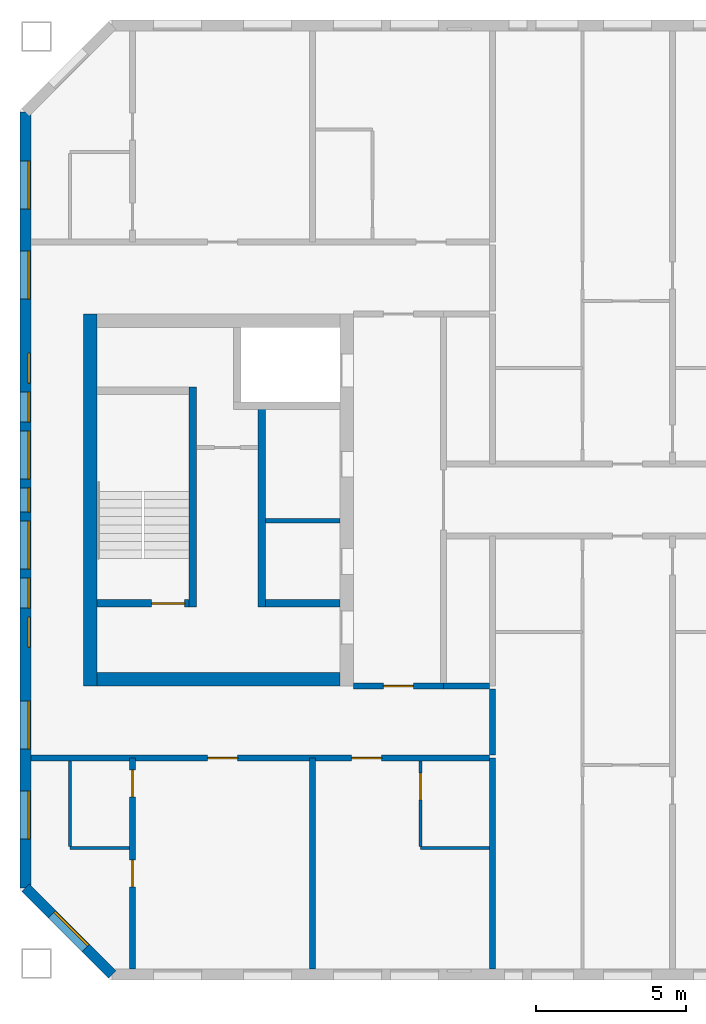
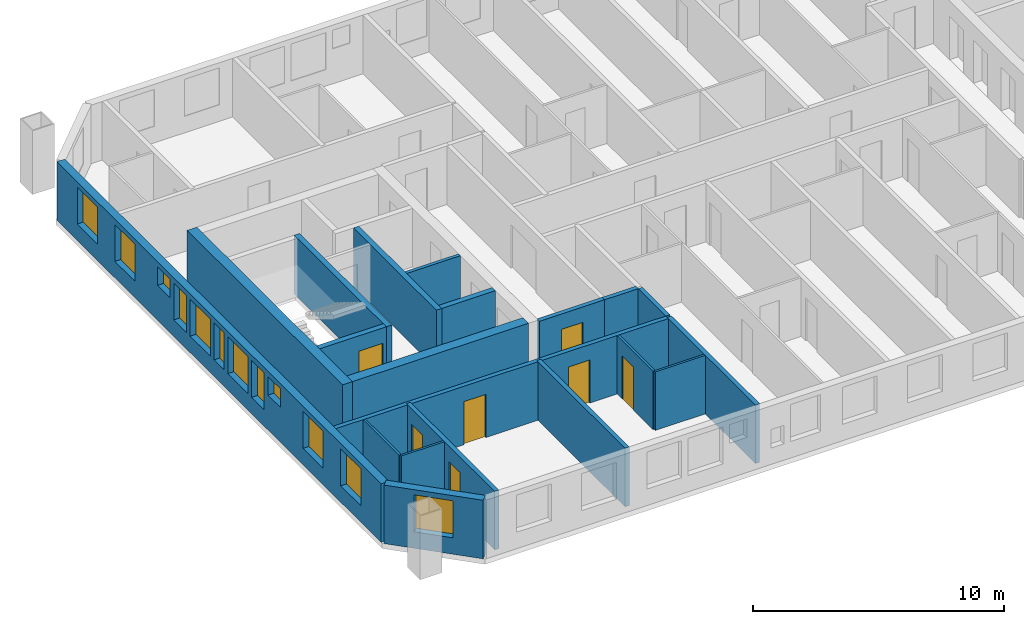
# One storey, part 2 of 15: 20 walls, 12 windows, 7 doors, 19 openings.
"""IFC4 building model written with IfcOpenShell, lengths in metres."""

from ifc_helpers import new_model, si_unit, direction, frame, frame_2d, origin, place, context, subcontext, project, spatial, rectangle, extrude, material, layer, layer_set, type_object, element, fill, save


model = new_model("IFC4")

# Units and contexts
model_context = context("Model", 3, precision=1e-05, world=origin(), true_north=direction((0.0, 1.0)))
body_context = subcontext(model_context, "Body", "Model", "MODEL_VIEW")
ifc_project = project(units=[si_unit("LENGTHUNIT", "METRE"), si_unit("AREAUNIT", "SQUARE_METRE"), si_unit("VOLUMEUNIT", "CUBIC_METRE"), si_unit("PLANEANGLEUNIT", "RADIAN"), si_unit("MASSUNIT", "GRAM", prefix="KILO")], contexts=[model_context])

# Site, building, storey
site_placement = place(None, origin())
site = spatial("IfcSite", under=ifc_project, at=site_placement, CompositionType="ELEMENT")
building_placement = place(site_placement, origin())
building = spatial("IfcBuilding", under=site, at=building_placement, Name="Tuart Gate Housing", CompositionType="ELEMENT")
storey_placement = place(building_placement, frame((0.0, 0.0, 185.10009765625)))
storey = spatial("IfcBuildingStorey", under=building, at=storey_placement, Name="L52", CompositionType="ELEMENT", Elevation=185.10009765625)

# Wall, opening, window
ifc_material_1 = material(Name="Brick", Category="masonry")
ifc_layer_1 = layer(ifc_material_1, 0.360107421875)
ifc_layer_set_1 = layer_set([ifc_layer_1], Name="Brick pier and spandrel wall 360")
wall_type_1 = type_object("IfcWallType", Name="Brick pier and spandrel wall 360", PredefinedType="STANDARD", material=ifc_layer_set_1)
wall_1_placement = place(storey_placement, frame((30.429931640625, 57.07470703125, 0.0), z_axis=(0.0, 0.0, 1.0), x_axis=(0.707106781187, -0.707106781187, 0.0)))
wall_1 = element("IfcWall", 1, at=wall_1_placement, inside=storey, type_object=wall_type_1, Name="External wall A-SW L52", PredefinedType="STANDARD", context=body_context, shape_type="SweptSolid", body=[
    extrude(rectangle(XDim=4.09375, YDim=0.360107421875, at=frame_2d((2.046875, 0.0))), origin(), (0.0, 0.0, 1.0), 2.849853515625),
])
opening_1_placement = place(wall_1_placement, frame((1.2470703125, 0.0, 0.800048828125)))
opening_1 = element("IfcOpeningElement", 2, at=opening_1_placement, cuts=wall_1, Name="Opening W1", PredefinedType="OPENING", context=body_context, shape_type="SweptSolid", body=[
    extrude(rectangle(XDim=1.60009765625, YDim=1.800048828125, at=frame_2d((0.800048828125, 0.89990234375))), frame((0.0, 0.18994140625, 0.0), z_axis=(0.0, -1.0, 0.0), x_axis=(1.0, 0.0, 0.0)), (0.0, 0.0, 1.0), 0.380126953125),
])
ifc_material_2 = material(Name="Aluminium frame with clear glass", Category="aluminium")
window_type_1 = type_object("IfcWindowType", Name="Punched window 1600 x 1800", PartitioningType="SINGLE_PANEL", PredefinedType="WINDOW", material=ifc_material_2)
window_1_placement = place(opening_1_placement, origin())
window_1 = element("IfcWindow", 3, at=window_1_placement, inside=storey, type_object=window_type_1, Name="Window W1", OverallHeight=1.800048828125, OverallWidth=1.60009765625, PartitioningType="SINGLE_PANEL", PredefinedType="WINDOW", context=body_context, shape_type="SweptSolid", body=[
    extrude(rectangle(XDim=1.60009765625, YDim=1.800048828125, at=frame_2d((0.800048828125, 0.89990234375))), frame((0.0, 0.150146484375, 0.0), z_axis=(0.0, -1.0, 0.0), x_axis=(1.0, 0.0, 0.0)), (0.0, 0.0, 1.0), 0.06005859375),
])
fill(opening_1, window_1)

# Wall, openings, windows
wall_2_placement = place(storey_placement, frame((30.429931640625, 82.92529296875, 0.0), z_axis=(0.0, 0.0, 1.0), x_axis=(0.0, -1.0, 0.0)))
wall_2 = element("IfcWall", 4, at=wall_2_placement, inside=storey, type_object=wall_type_1, Name="External wall A-W L52", PredefinedType="STANDARD", context=body_context, shape_type="SweptSolid", body=[
    extrude(rectangle(XDim=25.850830078125, YDim=0.360107421875, at=frame_2d((12.92529296875, 0.0))), origin(), (0.0, 0.0, 1.0), 2.849853515625),
])
opening_2_placement = place(wall_2_placement, frame((1.62548828125, 0.0, 0.800048828125)))
opening_2 = element("IfcOpeningElement", 5, at=opening_2_placement, cuts=wall_2, Name="Opening W1", PredefinedType="OPENING", context=body_context, shape_type="SweptSolid", body=[
    extrude(rectangle(XDim=1.60009765625, YDim=1.800048828125, at=frame_2d((0.800048828125, 0.89990234375))), frame((0.0, 0.18994140625, 0.0), z_axis=(0.0, -1.0, 0.0), x_axis=(1.0, 0.0, 0.0)), (0.0, 0.0, 1.0), 0.380126953125),
])
opening_3_placement = place(wall_2_placement, frame((4.62548828125, 0.0, 0.800048828125)))
opening_3 = element("IfcOpeningElement", 6, at=opening_3_placement, cuts=wall_2, Name="Opening W1", PredefinedType="OPENING", context=body_context, shape_type="SweptSolid", body=[
    extrude(rectangle(XDim=1.60009765625, YDim=1.800048828125, at=frame_2d((0.800048828125, 0.89990234375))), frame((0.0, 0.18994140625, 0.0), z_axis=(0.0, -1.0, 0.0), x_axis=(1.0, 0.0, 0.0)), (0.0, 0.0, 1.0), 0.380126953125),
])
opening_4_placement = place(wall_2_placement, frame((8.025390625, 0.0, 1.699951171875)))
opening_4 = element("IfcOpeningElement", 7, at=opening_4_placement, cuts=wall_2, Name="Opening W1U", PredefinedType="OPENING", context=body_context, shape_type="SweptSolid", body=[
    extrude(rectangle(XDim=1.0, YDim=0.89990234375, at=frame_2d((0.5, 0.449951171875))), frame((0.0, 0.18994140625, 0.0), z_axis=(0.0, -1.0, 0.0), x_axis=(1.0, 0.0, 0.0)), (0.0, 0.0, 1.0), 0.380126953125),
])
opening_5_placement = place(wall_2_placement, frame((10.62548828125, 0.0, 0.800048828125)))
opening_5 = element("IfcOpeningElement", 8, at=opening_5_placement, cuts=wall_2, Name="Opening W1", PredefinedType="OPENING", context=body_context, shape_type="SweptSolid", body=[
    extrude(rectangle(XDim=1.60009765625, YDim=1.800048828125, at=frame_2d((0.800048828125, 0.89990234375))), frame((0.0, 0.18994140625, 0.0), z_axis=(0.0, -1.0, 0.0), x_axis=(1.0, 0.0, 0.0)), (0.0, 0.0, 1.0), 0.380126953125),
])
opening_6_placement = place(wall_2_placement, frame((13.62548828125, 0.0, 0.800048828125)))
opening_6 = element("IfcOpeningElement", 9, at=opening_6_placement, cuts=wall_2, Name="Opening W1", PredefinedType="OPENING", context=body_context, shape_type="SweptSolid", body=[
    extrude(rectangle(XDim=1.60009765625, YDim=1.800048828125, at=frame_2d((0.800048828125, 0.89990234375))), frame((0.0, 0.18994140625, 0.0), z_axis=(0.0, -1.0, 0.0), x_axis=(1.0, 0.0, 0.0)), (0.0, 0.0, 1.0), 0.380126953125),
])
opening_7_placement = place(wall_2_placement, frame((9.325439453125, 0.0, 0.800048828125)))
opening_7 = element("IfcOpeningElement", 10, at=opening_7_placement, cuts=wall_2, Name="Opening W1C", PredefinedType="OPENING", context=body_context, shape_type="SweptSolid", body=[
    extrude(rectangle(XDim=1.0, YDim=1.800048828125, at=frame_2d((0.5, 0.89990234375))), frame((0.0, 0.18994140625, 0.0), z_axis=(0.0, -1.0, 0.0), x_axis=(1.0, 0.0, 0.0)), (0.0, 0.0, 1.0), 0.380126953125),
])
opening_8_placement = place(wall_2_placement, frame((19.62548828125, 0.0, 0.800048828125)))
opening_8 = element("IfcOpeningElement", 11, at=opening_8_placement, cuts=wall_2, Name="Opening W1", PredefinedType="OPENING", context=body_context, shape_type="SweptSolid", body=[
    extrude(rectangle(XDim=1.60009765625, YDim=1.800048828125, at=frame_2d((0.800048828125, 0.89990234375))), frame((0.0, 0.18994140625, 0.0), z_axis=(0.0, -1.0, 0.0), x_axis=(1.0, 0.0, 0.0)), (0.0, 0.0, 1.0), 0.380126953125),
])
opening_9_placement = place(wall_2_placement, frame((22.62548828125, 0.0, 0.800048828125)))
opening_9 = element("IfcOpeningElement", 12, at=opening_9_placement, cuts=wall_2, Name="Opening W1", PredefinedType="OPENING", context=body_context, shape_type="SweptSolid", body=[
    extrude(rectangle(XDim=1.60009765625, YDim=1.800048828125, at=frame_2d((0.800048828125, 0.89990234375))), frame((0.0, 0.18994140625, 0.0), z_axis=(0.0, -1.0, 0.0), x_axis=(1.0, 0.0, 0.0)), (0.0, 0.0, 1.0), 0.380126953125),
])
opening_10_placement = place(wall_2_placement, frame((12.525390625, 0.0, 0.800048828125)))
opening_10 = element("IfcOpeningElement", 13, at=opening_10_placement, cuts=wall_2, Name="Opening W1D", PredefinedType="OPENING", context=body_context, shape_type="SweptSolid", body=[
    extrude(rectangle(XDim=0.800048828125, YDim=1.800048828125, at=frame_2d((0.39990234375, 0.89990234375))), frame((0.0, 0.18994140625, 0.0), z_axis=(0.0, -1.0, 0.0), x_axis=(1.0, 0.0, 0.0)), (0.0, 0.0, 1.0), 0.380126953125),
])
opening_11_placement = place(wall_2_placement, frame((15.525390625, 0.0, 0.800048828125)))
opening_11 = element("IfcOpeningElement", 14, at=opening_11_placement, cuts=wall_2, Name="Opening W1C", PredefinedType="OPENING", context=body_context, shape_type="SweptSolid", body=[
    extrude(rectangle(XDim=1.0, YDim=1.800048828125, at=frame_2d((0.5, 0.89990234375))), frame((0.0, 0.18994140625, 0.0), z_axis=(0.0, -1.0, 0.0), x_axis=(1.0, 0.0, 0.0)), (0.0, 0.0, 1.0), 0.380126953125),
])
opening_12_placement = place(wall_2_placement, frame((16.825439453125, 0.0, 1.699951171875)))
opening_12 = element("IfcOpeningElement", 15, at=opening_12_placement, cuts=wall_2, Name="Opening W1U", PredefinedType="OPENING", context=body_context, shape_type="SweptSolid", body=[
    extrude(rectangle(XDim=1.0, YDim=0.89990234375, at=frame_2d((0.5, 0.449951171875))), frame((0.0, 0.18994140625, 0.0), z_axis=(0.0, -1.0, 0.0), x_axis=(1.0, 0.0, 0.0)), (0.0, 0.0, 1.0), 0.380126953125),
])
ifc_material_3 = material(Name="Aluminium frame with clear glass", Category="aluminium")
window_type_2 = type_object("IfcWindowType", Name="Punched window 1000 x 1800", PartitioningType="SINGLE_PANEL", PredefinedType="WINDOW", material=ifc_material_3)
window_2_placement = place(opening_7_placement, origin())
window_2 = element("IfcWindow", 16, at=window_2_placement, inside=storey, type_object=window_type_2, Name="Window W1C", OverallHeight=1.800048828125, OverallWidth=1.0, PartitioningType="SINGLE_PANEL", PredefinedType="WINDOW", context=body_context, shape_type="SweptSolid", body=[
    extrude(rectangle(XDim=1.0, YDim=1.800048828125, at=frame_2d((0.5, 0.89990234375))), frame((0.0, 0.150146484375, 0.0), z_axis=(0.0, -1.0, 0.0), x_axis=(1.0, 0.0, 0.0)), (0.0, 0.0, 1.0), 0.06005859375),
])
fill(opening_7, window_2)
window_3_placement = place(opening_11_placement, origin())
window_3 = element("IfcWindow", 17, at=window_3_placement, inside=storey, type_object=window_type_2, Name="Window W1C", OverallHeight=1.800048828125, OverallWidth=1.0, PartitioningType="SINGLE_PANEL", PredefinedType="WINDOW", context=body_context, shape_type="SweptSolid", body=[
    extrude(rectangle(XDim=1.0, YDim=1.800048828125, at=frame_2d((0.5, 0.89990234375))), frame((0.0, 0.150146484375, 0.0), z_axis=(0.0, -1.0, 0.0), x_axis=(1.0, 0.0, 0.0)), (0.0, 0.0, 1.0), 0.06005859375),
])
fill(opening_11, window_3)
ifc_material_4 = material(Name="Aluminium frame with clear glass", Category="aluminium")
window_type_3 = type_object("IfcWindowType", Name="Punched window 1000 x 900", PartitioningType="SINGLE_PANEL", PredefinedType="WINDOW", material=ifc_material_4)
window_4_placement = place(opening_4_placement, origin())
window_4 = element("IfcWindow", 18, at=window_4_placement, inside=storey, type_object=window_type_3, Name="Window W1U", OverallHeight=0.89990234375, OverallWidth=1.0, PartitioningType="SINGLE_PANEL", PredefinedType="WINDOW", context=body_context, shape_type="SweptSolid", body=[
    extrude(rectangle(XDim=1.0, YDim=0.89990234375, at=frame_2d((0.5, 0.449951171875))), frame((0.0, 0.150146484375, 0.0), z_axis=(0.0, -1.0, 0.0), x_axis=(1.0, 0.0, 0.0)), (0.0, 0.0, 1.0), 0.06005859375),
])
fill(opening_4, window_4)
window_5_placement = place(opening_12_placement, origin())
window_5 = element("IfcWindow", 19, at=window_5_placement, inside=storey, type_object=window_type_3, Name="Window W1U", OverallHeight=0.89990234375, OverallWidth=1.0, PartitioningType="SINGLE_PANEL", PredefinedType="WINDOW", context=body_context, shape_type="SweptSolid", body=[
    extrude(rectangle(XDim=1.0, YDim=0.89990234375, at=frame_2d((0.5, 0.449951171875))), frame((0.0, 0.150146484375, 0.0), z_axis=(0.0, -1.0, 0.0), x_axis=(1.0, 0.0, 0.0)), (0.0, 0.0, 1.0), 0.06005859375),
])
fill(opening_12, window_5)
window_6_placement = place(opening_2_placement, origin())
window_6 = element("IfcWindow", 20, at=window_6_placement, inside=storey, type_object=window_type_1, Name="Window W1", OverallHeight=1.800048828125, OverallWidth=1.60009765625, PartitioningType="SINGLE_PANEL", PredefinedType="WINDOW", context=body_context, shape_type="SweptSolid", body=[
    extrude(rectangle(XDim=1.60009765625, YDim=1.800048828125, at=frame_2d((0.800048828125, 0.89990234375))), frame((0.0, 0.150146484375, 0.0), z_axis=(0.0, -1.0, 0.0), x_axis=(1.0, 0.0, 0.0)), (0.0, 0.0, 1.0), 0.06005859375),
])
fill(opening_2, window_6)
window_7_placement = place(opening_3_placement, origin())
window_7 = element("IfcWindow", 21, at=window_7_placement, inside=storey, type_object=window_type_1, Name="Window W1", OverallHeight=1.800048828125, OverallWidth=1.60009765625, PartitioningType="SINGLE_PANEL", PredefinedType="WINDOW", context=body_context, shape_type="SweptSolid", body=[
    extrude(rectangle(XDim=1.60009765625, YDim=1.800048828125, at=frame_2d((0.800048828125, 0.89990234375))), frame((0.0, 0.150146484375, 0.0), z_axis=(0.0, -1.0, 0.0), x_axis=(1.0, 0.0, 0.0)), (0.0, 0.0, 1.0), 0.06005859375),
])
fill(opening_3, window_7)
window_8_placement = place(opening_5_placement, origin())
window_8 = element("IfcWindow", 22, at=window_8_placement, inside=storey, type_object=window_type_1, Name="Window W1", OverallHeight=1.800048828125, OverallWidth=1.60009765625, PartitioningType="SINGLE_PANEL", PredefinedType="WINDOW", context=body_context, shape_type="SweptSolid", body=[
    extrude(rectangle(XDim=1.60009765625, YDim=1.800048828125, at=frame_2d((0.800048828125, 0.89990234375))), frame((0.0, 0.150146484375, 0.0), z_axis=(0.0, -1.0, 0.0), x_axis=(1.0, 0.0, 0.0)), (0.0, 0.0, 1.0), 0.06005859375),
])
fill(opening_5, window_8)
window_9_placement = place(opening_6_placement, origin())
window_9 = element("IfcWindow", 23, at=window_9_placement, inside=storey, type_object=window_type_1, Name="Window W1", OverallHeight=1.800048828125, OverallWidth=1.60009765625, PartitioningType="SINGLE_PANEL", PredefinedType="WINDOW", context=body_context, shape_type="SweptSolid", body=[
    extrude(rectangle(XDim=1.60009765625, YDim=1.800048828125, at=frame_2d((0.800048828125, 0.89990234375))), frame((0.0, 0.150146484375, 0.0), z_axis=(0.0, -1.0, 0.0), x_axis=(1.0, 0.0, 0.0)), (0.0, 0.0, 1.0), 0.06005859375),
])
fill(opening_6, window_9)
window_10_placement = place(opening_8_placement, origin())
window_10 = element("IfcWindow", 24, at=window_10_placement, inside=storey, type_object=window_type_1, Name="Window W1", OverallHeight=1.800048828125, OverallWidth=1.60009765625, PartitioningType="SINGLE_PANEL", PredefinedType="WINDOW", context=body_context, shape_type="SweptSolid", body=[
    extrude(rectangle(XDim=1.60009765625, YDim=1.800048828125, at=frame_2d((0.800048828125, 0.89990234375))), frame((0.0, 0.150146484375, 0.0), z_axis=(0.0, -1.0, 0.0), x_axis=(1.0, 0.0, 0.0)), (0.0, 0.0, 1.0), 0.06005859375),
])
fill(opening_8, window_10)
window_11_placement = place(opening_9_placement, origin())
window_11 = element("IfcWindow", 25, at=window_11_placement, inside=storey, type_object=window_type_1, Name="Window W1", OverallHeight=1.800048828125, OverallWidth=1.60009765625, PartitioningType="SINGLE_PANEL", PredefinedType="WINDOW", context=body_context, shape_type="SweptSolid", body=[
    extrude(rectangle(XDim=1.60009765625, YDim=1.800048828125, at=frame_2d((0.800048828125, 0.89990234375))), frame((0.0, 0.150146484375, 0.0), z_axis=(0.0, -1.0, 0.0), x_axis=(1.0, 0.0, 0.0)), (0.0, 0.0, 1.0), 0.06005859375),
])
fill(opening_9, window_11)
ifc_material_5 = material(Name="Aluminium frame with clear glass", Category="aluminium")
window_type_4 = type_object("IfcWindowType", Name="Punched window 800 x 1800", PartitioningType="SINGLE_PANEL", PredefinedType="WINDOW", material=ifc_material_5)
window_12_placement = place(opening_10_placement, origin())
window_12 = element("IfcWindow", 26, at=window_12_placement, inside=storey, type_object=window_type_4, Name="Window W1D", OverallHeight=1.800048828125, OverallWidth=0.800048828125, PartitioningType="SINGLE_PANEL", PredefinedType="WINDOW", context=body_context, shape_type="SweptSolid", body=[
    extrude(rectangle(XDim=0.800048828125, YDim=1.800048828125, at=frame_2d((0.39990234375, 0.89990234375))), frame((0.0, 0.150146484375, 0.0), z_axis=(0.0, -1.0, 0.0), x_axis=(1.0, 0.0, 0.0)), (0.0, 0.0, 1.0), 0.06005859375),
])
fill(opening_10, window_12)

# Walls
ifc_material_6 = material(Name="Plasterboard partition")
ifc_layer_2 = layer(ifc_material_6, 0.14990234375)
ifc_layer_set_2 = layer_set([ifc_layer_2], Name="Core partition 150")
wall_type_2 = type_object("IfcWallType", Name="Core partition 150", PredefinedType="PARTITIONING", material=ifc_layer_set_2)
wall_3_placement = place(storey_placement, frame((40.909912109375, 69.300048828125, 0.0), z_axis=(0.0, 0.0, 1.0), x_axis=(-1.0, 0.0, 0.0)))
element("IfcWall", 27, at=wall_3_placement, inside=storey, type_object=wall_type_2, Name="Core partition AK.4", PredefinedType="PARTITIONING", context=body_context, shape_type="SweptSolid", body=[
    extrude(rectangle(XDim=2.474853515625, YDim=0.14990234375, at=frame_2d((1.2373046875, 0.0))), origin(), (0.0, 0.0, 1.0), 2.849853515625),
])
ifc_material_7 = material(Name="Concrete C40", Category="concrete")
ifc_layer_3 = layer(ifc_material_7, 0.25)
ifc_layer_set_3 = layer_set([ifc_layer_3], Name="Core wall 250 C40")
wall_type_3 = type_object("IfcWallType", Name="Core wall 250 C40", PredefinedType="SHEAR", material=ifc_layer_set_3)
wall_4_placement = place(storey_placement, frame((40.909912109375, 66.550048828125, 0.0), z_axis=(0.0, 0.0, 1.0), x_axis=(-1.0, 0.0, 0.0)))
element("IfcWall", 28, at=wall_4_placement, inside=storey, type_object=wall_type_3, Name="Core wall AK.5", PredefinedType="SHEAR", context=body_context, shape_type="SweptSolid", body=[
    extrude(rectangle(XDim=2.474853515625, YDim=0.25, at=frame_2d((1.2373046875, 0.0))), origin(), (0.0, 0.0, 1.0), 2.849853515625),
])

# Wall, opening, door
wall_5_placement = place(storey_placement, frame((35.885009765625, 66.550048828125, 0.0), z_axis=(0.0, 0.0, 1.0), x_axis=(-1.0, 0.0, 0.0)))
wall_5 = element("IfcWall", 29, at=wall_5_placement, inside=storey, type_object=wall_type_3, Name="Core wall AK.6", PredefinedType="SHEAR", context=body_context, shape_type="SweptSolid", body=[
    extrude(rectangle(XDim=3.074951171875, YDim=0.25, at=frame_2d((1.53759765625, 0.0))), origin(), (0.0, 0.0, 1.0), 2.849853515625),
])
opening_13_placement = place(wall_5_placement, frame((0.14990234375, 0.0, 0.0)))
opening_13 = element("IfcOpeningElement", 30, at=opening_13_placement, cuts=wall_5, Name="Opening D1875", PredefinedType="OPENING", context=body_context, shape_type="SweptSolid", body=[
    extrude(rectangle(XDim=1.10009765625, YDim=2.10009765625, at=frame_2d((0.550048828125, 1.050048828125))), frame((0.0, 0.135009765625, 0.0), z_axis=(0.0, -1.0, 0.0), x_axis=(1.0, 0.0, 0.0)), (0.0, 0.0, 1.0), 0.27001953125),
])
ifc_material_8 = material(Name="Steel fire door", Category="steel")
door_type_1 = type_object("IfcDoorType", Name="Stair door 1100 x 2100 RH", OperationType="SINGLE_SWING_RIGHT", PredefinedType="DOOR", material=ifc_material_8)
door_1_placement = place(opening_13_placement, frame((1.10009765625, 0.0, 0.0), z_axis=(0.0, 0.0, 1.0), x_axis=(-1.0, 0.0, 0.0)))
door_1 = element("IfcDoor", 31, at=door_1_placement, inside=storey, type_object=door_type_1, Name="Stair door AK.SD", OperationType="SINGLE_SWING_RIGHT", OverallHeight=2.10009765625, OverallWidth=1.10009765625, PredefinedType="DOOR", context=body_context, shape_type="SweptSolid", body=[
    extrude(rectangle(XDim=1.10009765625, YDim=2.10009765625, at=frame_2d((0.550048828125, 1.050048828125))), frame((0.0, 0.025146484375, 0.0), z_axis=(0.0, -1.0, 0.0), x_axis=(1.0, 0.0, 0.0)), (0.0, 0.0, 1.0), 0.050048828125),
])
fill(opening_13, door_1)

# Walls
wall_6_placement = place(storey_placement, frame((38.31005859375, 73.02490234375, 0.0), z_axis=(0.0, 0.0, 1.0), x_axis=(0.0, -1.0, 0.0)))
element("IfcWall", 32, at=wall_6_placement, inside=storey, type_object=wall_type_3, Name="Core wall AK.7", PredefinedType="SHEAR", context=body_context, shape_type="SweptSolid", body=[
    extrude(rectangle(XDim=6.599853515625, YDim=0.25, at=frame_2d((3.2998046875, 0.0))), origin(), (0.0, 0.0, 1.0), 2.849853515625),
])
wall_7_placement = place(storey_placement, frame((36.010009765625, 73.77490234375, 0.0), z_axis=(0.0, 0.0, 1.0), x_axis=(0.0, -1.0, 0.0)))
element("IfcWall", 33, at=wall_7_placement, inside=storey, type_object=wall_type_3, Name="Core wall AK.9", PredefinedType="SHEAR", context=body_context, shape_type="SweptSolid", body=[
    extrude(rectangle(XDim=7.349853515625, YDim=0.25, at=frame_2d((3.6748046875, 0.0))), origin(), (0.0, 0.0, 1.0), 2.849853515625),
])
ifc_material_9 = material(Name="Concrete C40", Category="concrete")
ifc_layer_4 = layer(ifc_material_9, 0.449951171875)
ifc_layer_set_4 = layer_set([ifc_layer_4], Name="Core wall 450 C40")
wall_type_4 = type_object("IfcWallType", Name="Core wall 450 C40", PredefinedType="SHEAR", material=ifc_layer_set_4)
wall_8_placement = place(storey_placement, frame((32.5849609375, 76.199951171875, 0.0), z_axis=(0.0, 0.0, 1.0), x_axis=(0.0, -1.0, 0.0)))
element("IfcWall", 34, at=wall_8_placement, inside=storey, type_object=wall_type_4, Name="Core wall AK back", PredefinedType="SHEAR", context=body_context, shape_type="SweptSolid", body=[
    extrude(rectangle(XDim=12.39990234375, YDim=0.449951171875, at=frame_2d((6.199951171875, 0.0))), origin(), (0.0, 0.0, 1.0), 2.849853515625),
])
wall_9_placement = place(storey_placement, frame((40.909912109375, 64.02490234375, 0.0), z_axis=(0.0, 0.0, 1.0), x_axis=(-1.0, 0.0, 0.0)))
element("IfcWall", 35, at=wall_9_placement, inside=storey, type_object=wall_type_4, Name="Core wall AK north", PredefinedType="SHEAR", context=body_context, shape_type="SweptSolid", body=[
    extrude(rectangle(XDim=8.099853515625, YDim=0.449951171875, at=frame_2d((4.0498046875, 0.0))), origin(), (0.0, 0.0, 1.0), 2.849853515625),
])

# Wall, openings, doors
ifc_material_10 = material(Name="Concrete masonry 15 MPa", Category="masonry")
ifc_layer_5 = layer(ifc_material_10, 0.199951171875)
ifc_layer_set_5 = layer_set([ifc_layer_5], Name="Corridor wall masonry 200")
wall_type_5 = type_object("IfcWallType", Name="Corridor wall masonry 200", PredefinedType="PARTITIONING", material=ifc_layer_set_5)
wall_10_placement = place(storey_placement, frame((30.610107421875, 61.39990234375, 0.0), z_axis=(0.0, 0.0, 1.0), x_axis=(1.0, 0.0, 0.0)))
wall_10 = element("IfcWall", 36, at=wall_10_placement, inside=storey, type_object=wall_type_5, Name="Corridor wall masonry 200", PredefinedType="PARTITIONING", context=body_context, shape_type="SweptSolid", body=[
    extrude(rectangle(XDim=15.289794921875, YDim=0.199951171875, at=frame_2d((7.64501953125, 0.0))), origin(), (0.0, 0.0, 1.0), 2.849853515625),
])
opening_14_placement = place(wall_10_placement, frame((10.68994140625, 0.0, 0.0)))
opening_14 = element("IfcOpeningElement", 37, at=opening_14_placement, cuts=wall_10, Name="Opening D1886", PredefinedType="OPENING", context=body_context, shape_type="SweptSolid", body=[
    extrude(rectangle(XDim=1.0, YDim=2.10009765625, at=frame_2d((0.5, 1.050048828125))), frame((0.0, 0.10986328125, 0.0), z_axis=(0.0, -1.0, 0.0), x_axis=(1.0, 0.0, 0.0)), (0.0, 0.0, 1.0), 0.219970703125),
])
opening_15_placement = place(wall_10_placement, frame((5.889892578125, 0.0, 0.0)))
opening_15 = element("IfcOpeningElement", 38, at=opening_15_placement, cuts=wall_10, Name="Opening D1887", PredefinedType="OPENING", context=body_context, shape_type="SweptSolid", body=[
    extrude(rectangle(XDim=1.0, YDim=2.10009765625, at=frame_2d((0.5, 1.050048828125))), frame((0.0, 0.10986328125, 0.0), z_axis=(0.0, -1.0, 0.0), x_axis=(1.0, 0.0, 0.0)), (0.0, 0.0, 1.0), 0.219970703125),
])
ifc_material_11 = material(Name="Timber door leaf in steel frame", Category="steel")
door_type_2 = type_object("IfcDoorType", Name="Flat entrance door 1000 RH", OperationType="SINGLE_SWING_RIGHT", PredefinedType="DOOR", material=ifc_material_11)
door_2_placement = place(opening_14_placement, frame((1.0, 0.0, 0.0), z_axis=(0.0, 0.0, 1.0), x_axis=(-1.0, 0.0, 0.0)))
door_2 = element("IfcDoor", 39, at=door_2_placement, inside=storey, type_object=door_type_2, Name="Flat entrance door", OperationType="SINGLE_SWING_RIGHT", OverallHeight=2.10009765625, OverallWidth=1.0, PredefinedType="DOOR", context=body_context, shape_type="SweptSolid", body=[
    extrude(rectangle(XDim=1.0, YDim=2.10009765625, at=frame_2d((0.5, 1.050048828125))), frame((0.0, 0.025146484375, 0.0), z_axis=(0.0, -1.0, 0.0), x_axis=(1.0, 0.0, 0.0)), (0.0, 0.0, 1.0), 0.050048828125),
])
fill(opening_14, door_2)
door_3_placement = place(opening_15_placement, frame((1.0, 0.0, 0.0), z_axis=(0.0, 0.0, 1.0), x_axis=(-1.0, 0.0, 0.0)))
door_3 = element("IfcDoor", 40, at=door_3_placement, inside=storey, type_object=door_type_2, Name="Flat entrance door", OperationType="SINGLE_SWING_RIGHT", OverallHeight=2.10009765625, OverallWidth=1.0, PredefinedType="DOOR", context=body_context, shape_type="SweptSolid", body=[
    extrude(rectangle(XDim=1.0, YDim=2.10009765625, at=frame_2d((0.5, 1.050048828125))), frame((0.0, 0.025146484375, 0.0), z_axis=(0.0, -1.0, 0.0), x_axis=(1.0, 0.0, 0.0)), (0.0, 0.0, 1.0), 0.050048828125),
])
fill(opening_15, door_3)

# Walls
wall_11_placement = place(storey_placement, frame((44.360107421875, 63.800048828125, 0.0), z_axis=(0.0, 0.0, 1.0), x_axis=(1.0, 0.0, 0.0)))
element("IfcWall", 41, at=wall_11_placement, inside=storey, type_object=wall_type_5, Name="Corridor wall masonry 200", PredefinedType="PARTITIONING", context=body_context, shape_type="SweptSolid", body=[
    extrude(rectangle(XDim=1.539794921875, YDim=0.199951171875, at=frame_2d((0.77001953125, 0.0))), origin(), (0.0, 0.0, 1.0), 2.849853515625),
])
wall_12_placement = place(storey_placement, frame((46.0, 61.5, 0.0), z_axis=(0.0, 0.0, 1.0), x_axis=(0.0, 1.0, 0.0)))
element("IfcWall", 42, at=wall_12_placement, inside=storey, type_object=wall_type_5, Name="Corridor wall masonry 200", PredefinedType="PARTITIONING", context=body_context, shape_type="SweptSolid", body=[
    extrude(rectangle(XDim=2.199951171875, YDim=0.199951171875, at=frame_2d((1.10009765625, 0.0))), origin(), (0.0, 0.0, 1.0), 2.849853515625),
])

# Wall, opening, door
ifc_material_12 = material(Name="Concrete masonry 15 MPa", Category="masonry")
ifc_layer_6 = layer(ifc_material_12, 0.199951171875)
ifc_layer_set_6 = layer_set([ifc_layer_6], Name="Enclosure wall masonry 200")
wall_type_6 = type_object("IfcWallType", Name="Enclosure wall masonry 200", PredefinedType="PARTITIONING", material=ifc_layer_set_6)
wall_13_placement = place(storey_placement, frame((41.360107421875, 63.800048828125, 0.0), z_axis=(0.0, 0.0, 1.0), x_axis=(1.0, 0.0, 0.0)))
wall_13 = element("IfcWall", 43, at=wall_13_placement, inside=storey, type_object=wall_type_6, Name="Enclosure wall masonry 200", PredefinedType="PARTITIONING", context=body_context, shape_type="SweptSolid", body=[
    extrude(rectangle(XDim=3.0, YDim=0.199951171875, at=frame_2d((1.5, 0.0))), origin(), (0.0, 0.0, 1.0), 2.849853515625),
])
opening_16_placement = place(wall_13_placement, frame((1.0, 0.0, 0.0)))
opening_16 = element("IfcOpeningElement", 44, at=opening_16_placement, cuts=wall_13, Name="Opening D1876", PredefinedType="OPENING", context=body_context, shape_type="SweptSolid", body=[
    extrude(rectangle(XDim=1.0, YDim=2.10009765625, at=frame_2d((0.5, 1.050048828125))), frame((0.0, 0.10986328125, 0.0), z_axis=(0.0, -1.0, 0.0), x_axis=(1.0, 0.0, 0.0)), (0.0, 0.0, 1.0), 0.219970703125),
])
ifc_material_13 = material(Name="Timber door leaf in steel frame", Category="steel")
door_type_3 = type_object("IfcDoorType", Name="Fire door 1000", OperationType="SINGLE_SWING_LEFT", PredefinedType="DOOR", material=ifc_material_13)
door_4_placement = place(opening_16_placement, frame((1.0, 0.0, 0.0), z_axis=(0.0, 0.0, 1.0), x_axis=(-1.0, 0.0, 0.0)))
door_4 = element("IfcDoor", 45, at=door_4_placement, inside=storey, type_object=door_type_3, Name="Fire door", OperationType="SINGLE_SWING_LEFT", OverallHeight=2.10009765625, OverallWidth=1.0, PredefinedType="DOOR", context=body_context, shape_type="SweptSolid", body=[
    extrude(rectangle(XDim=1.0, YDim=2.10009765625, at=frame_2d((0.5, 1.050048828125))), frame((0.0, 0.025146484375, 0.0), z_axis=(0.0, -1.0, 0.0), x_axis=(1.0, 0.0, 0.0)), (0.0, 0.0, 1.0), 0.050048828125),
])
fill(opening_16, door_4)

# Walls
ifc_material_14 = material(Name="Gypsum board on steel studs", Category="steel")
ifc_layer_7 = layer(ifc_material_14, 0.10009765625)
ifc_layer_set_7 = layer_set([ifc_layer_7], Name="Partition 100")
wall_type_7 = type_object("IfcWallType", Name="Partition 100", PredefinedType="PARTITIONING", material=ifc_layer_set_7)
wall_14_placement = place(storey_placement, frame((31.909912109375, 58.39990234375, 0.0), z_axis=(0.0, 0.0, 1.0), x_axis=(1.0, 0.0, 0.0)))
element("IfcWall", 46, at=wall_14_placement, inside=storey, type_object=wall_type_7, Name="Partition 100", PredefinedType="PARTITIONING", context=body_context, shape_type="SweptSolid", body=[
    extrude(rectangle(XDim=1.989990234375, YDim=0.10009765625, at=frame_2d((0.9951171875, 0.0))), origin(), (0.0, 0.0, 1.0), 2.849853515625),
])
wall_15_placement = place(storey_placement, frame((43.60009765625, 58.39990234375, 0.0), z_axis=(0.0, 0.0, 1.0), x_axis=(1.0, 0.0, 0.0)))
element("IfcWall", 47, at=wall_15_placement, inside=storey, type_object=wall_type_7, Name="Partition 100", PredefinedType="PARTITIONING", context=body_context, shape_type="SweptSolid", body=[
    extrude(rectangle(XDim=2.2998046875, YDim=0.10009765625, at=frame_2d((1.14990234375, 0.0))), origin(), (0.0, 0.0, 1.0), 2.849853515625),
])
wall_16_placement = place(storey_placement, frame((31.909912109375, 58.449951171875, 0.0), z_axis=(0.0, 0.0, 1.0), x_axis=(0.0, 1.0, 0.0)))
element("IfcWall", 48, at=wall_16_placement, inside=storey, type_object=wall_type_7, Name="Partition 100", PredefinedType="PARTITIONING", context=body_context, shape_type="SweptSolid", body=[
    extrude(rectangle(XDim=2.85009765625, YDim=0.10009765625, at=frame_2d((1.425048828125, 0.0))), origin(), (0.0, 0.0, 1.0), 2.849853515625),
])

# Wall, opening, door
wall_17_placement = place(storey_placement, frame((43.60009765625, 58.449951171875, 0.0), z_axis=(0.0, 0.0, 1.0), x_axis=(0.0, 1.0, 0.0)))
wall_17 = element("IfcWall", 49, at=wall_17_placement, inside=storey, type_object=wall_type_7, Name="Partition 100", PredefinedType="PARTITIONING", context=body_context, shape_type="SweptSolid", body=[
    extrude(rectangle(XDim=2.85009765625, YDim=0.10009765625, at=frame_2d((1.425048828125, 0.0))), origin(), (0.0, 0.0, 1.0), 2.849853515625),
])
opening_17_placement = place(wall_17_placement, frame((1.550048828125, 0.0, 0.0)))
opening_17 = element("IfcOpeningElement", 50, at=opening_17_placement, cuts=wall_17, Name="Opening D1892", PredefinedType="OPENING", context=body_context, shape_type="SweptSolid", body=[
    extrude(rectangle(XDim=0.89990234375, YDim=2.10009765625, at=frame_2d((0.449951171875, 1.050048828125))), frame((0.0, 0.06005859375, 0.0), z_axis=(0.0, -1.0, 0.0), x_axis=(1.0, 0.0, 0.0)), (0.0, 0.0, 1.0), 0.1201171875),
])
ifc_material_15 = material(Name="Timber door leaf in steel frame", Category="steel")
door_type_4 = type_object("IfcDoorType", Name="Bathroom door 900", OperationType="SINGLE_SWING_LEFT", PredefinedType="DOOR", material=ifc_material_15)
door_5_placement = place(opening_17_placement, frame((0.89990234375, 0.0, 0.0), z_axis=(0.0, 0.0, 1.0), x_axis=(-1.0, 0.0, 0.0)))
door_5 = element("IfcDoor", 51, at=door_5_placement, inside=storey, type_object=door_type_4, Name="Bathroom door", OperationType="SINGLE_SWING_LEFT", OverallHeight=2.10009765625, OverallWidth=0.89990234375, PredefinedType="DOOR", context=body_context, shape_type="SweptSolid", body=[
    extrude(rectangle(XDim=0.89990234375, YDim=2.10009765625, at=frame_2d((0.449951171875, 1.050048828125))), frame((0.0, 0.025146484375, 0.0), z_axis=(0.0, -1.0, 0.0), x_axis=(1.0, 0.0, 0.0)), (0.0, 0.0, 1.0), 0.050048828125),
])
fill(opening_17, door_5)

# Wall, openings, doors
ifc_material_16 = material(Name="Concrete C40", Category="concrete")
ifc_layer_8 = layer(ifc_material_16, 0.199951171875)
ifc_layer_set_8 = layer_set([ifc_layer_8], Name="Party wall concrete C40 200")
wall_type_8 = type_object("IfcWallType", Name="Party wall concrete C40 200", PredefinedType="SOLIDWALL", material=ifc_layer_set_8)
wall_18_placement = place(storey_placement, frame((34.0, 54.360107421875, 0.0), z_axis=(0.0, 0.0, 1.0), x_axis=(0.0, 1.0, 0.0)))
wall_18 = element("IfcWall", 52, at=wall_18_placement, inside=storey, type_object=wall_type_8, Name="Party wall concrete C40 200", PredefinedType="SOLIDWALL", context=body_context, shape_type="SweptSolid", body=[
    extrude(rectangle(XDim=7.039794921875, YDim=0.199951171875, at=frame_2d((3.52001953125, 0.0))), origin(), (0.0, 0.0, 1.0), 2.849853515625),
])
opening_18_placement = place(wall_18_placement, frame((2.739990234375, 0.0, 0.0)))
opening_18 = element("IfcOpeningElement", 53, at=opening_18_placement, cuts=wall_18, Name="Opening D1896", PredefinedType="OPENING", context=body_context, shape_type="SweptSolid", body=[
    extrude(rectangle(XDim=0.89990234375, YDim=2.10009765625, at=frame_2d((0.449951171875, 1.050048828125))), frame((0.0, 0.10986328125, 0.0), z_axis=(0.0, -1.0, 0.0), x_axis=(1.0, 0.0, 0.0)), (0.0, 0.0, 1.0), 0.219970703125),
])
opening_19_placement = place(wall_18_placement, frame((5.739990234375, 0.0, 0.0)))
opening_19 = element("IfcOpeningElement", 54, at=opening_19_placement, cuts=wall_18, Name="Opening D1895", PredefinedType="OPENING", context=body_context, shape_type="SweptSolid", body=[
    extrude(rectangle(XDim=0.89990234375, YDim=2.10009765625, at=frame_2d((0.449951171875, 1.050048828125))), frame((0.0, 0.10986328125, 0.0), z_axis=(0.0, -1.0, 0.0), x_axis=(1.0, 0.0, 0.0)), (0.0, 0.0, 1.0), 0.219970703125),
])
ifc_material_17 = material(Name="Timber door leaf in steel frame", Category="steel")
door_type_5 = type_object("IfcDoorType", Name="Bathroom door 900 RH", OperationType="SINGLE_SWING_RIGHT", PredefinedType="DOOR", material=ifc_material_17)
door_6_placement = place(opening_19_placement, origin())
door_6 = element("IfcDoor", 55, at=door_6_placement, inside=storey, type_object=door_type_5, Name="Bathroom door", OperationType="SINGLE_SWING_RIGHT", OverallHeight=2.10009765625, OverallWidth=0.89990234375, PredefinedType="DOOR", context=body_context, shape_type="SweptSolid", body=[
    extrude(rectangle(XDim=0.89990234375, YDim=2.10009765625, at=frame_2d((0.449951171875, 1.050048828125))), frame((0.0, 0.02490234375, 0.0), z_axis=(0.0, -1.0, 0.0), x_axis=(1.0, 0.0, 0.0)), (0.0, 0.0, 1.0), 0.050048828125),
])
fill(opening_19, door_6)
ifc_material_18 = material(Name="Timber door leaf in steel frame", Category="steel")
door_type_6 = type_object("IfcDoorType", Name="Internal door 900 RH", OperationType="SINGLE_SWING_RIGHT", PredefinedType="DOOR", material=ifc_material_18)
door_7_placement = place(opening_18_placement, origin())
door_7 = element("IfcDoor", 56, at=door_7_placement, inside=storey, type_object=door_type_6, Name="Internal door", OperationType="SINGLE_SWING_RIGHT", OverallHeight=2.10009765625, OverallWidth=0.89990234375, PredefinedType="DOOR", context=body_context, shape_type="SweptSolid", body=[
    extrude(rectangle(XDim=0.89990234375, YDim=2.10009765625, at=frame_2d((0.449951171875, 1.050048828125))), frame((0.0, 0.02490234375, 0.0), z_axis=(0.0, -1.0, 0.0), x_axis=(1.0, 0.0, 0.0)), (0.0, 0.0, 1.0), 0.050048828125),
])
fill(opening_18, door_7)

# Walls
for number, where, z_axis, x_axis, name in (
    (57, (40.0, 54.360107421875, 0.0), (0.0, 0.0, 1.0), (0.0, 1.0, 0.0), "Party wall concrete C40 200"),
    (58, (46.0, 54.360107421875, 0.0), (0.0, 0.0, 1.0), (0.0, 1.0, 0.0), "Party wall concrete C40 200"),
):
    element("IfcWall", number, at=place(storey_placement, frame(where, z_axis=z_axis, x_axis=x_axis)), inside=storey, type_object=wall_type_8, Name=name, PredefinedType="SOLIDWALL", context=body_context, shape_type="SweptSolid", body=[
        extrude(rectangle(XDim=7.039794921875, YDim=0.199951171875, at=frame_2d((3.52001953125, 0.0))), origin(), (0.0, 0.0, 1.0), 2.849853515625),
    ])

save(model, "model.ifc")
